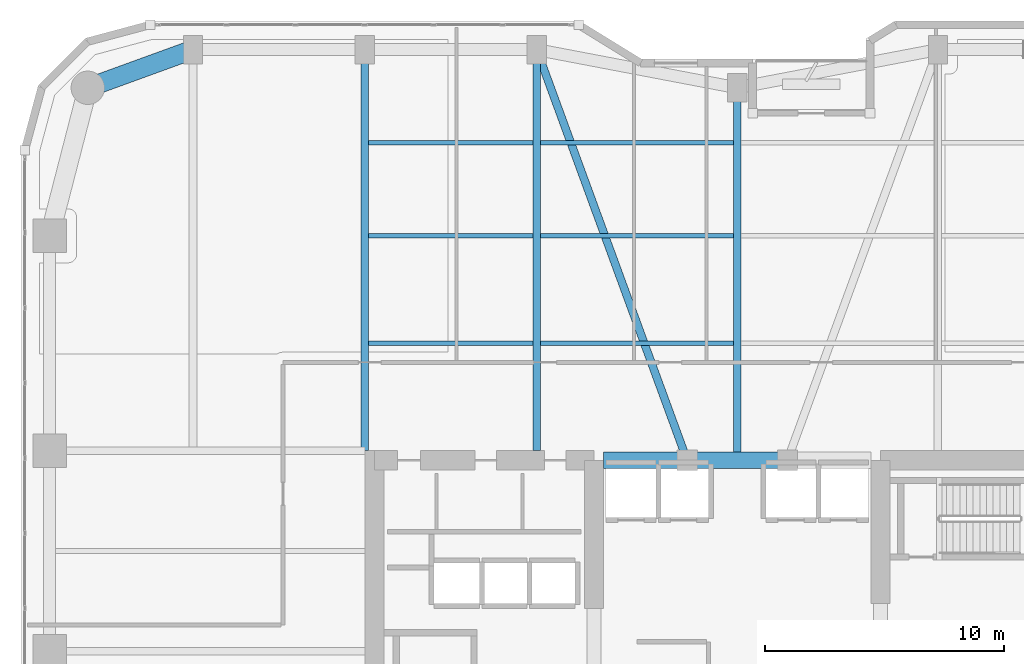
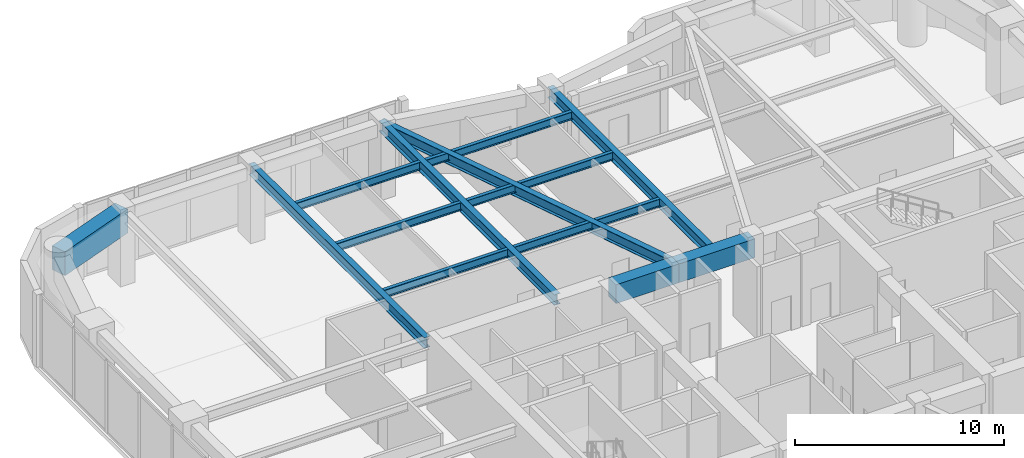
# One storey, part 9 of 20: 13 beams.
"""IFC4 building model written with IfcOpenShell, lengths in metres."""

from ifc_helpers import new_model, si_unit, direction, frame, origin, origin_2d, place, context, subcontext, project, spatial, rectangle, i_section, extrude, material, material_profile, profile_set, type_object, element, save


model = new_model("IFC4")

# Units and contexts
model_context = context("Model", 3, precision=1e-05, world=origin(), true_north=direction((0.0, 1.0)))
body_context = subcontext(model_context, "Body", "Model", "MODEL_VIEW")
ifc_project = project(units=[si_unit("LENGTHUNIT", "METRE"), si_unit("AREAUNIT", "SQUARE_METRE"), si_unit("VOLUMEUNIT", "CUBIC_METRE"), si_unit("PLANEANGLEUNIT", "RADIAN"), si_unit("MASSUNIT", "GRAM", prefix="KILO")], contexts=[model_context])

# Site, building, storey
site_placement = place(None, origin())
site = spatial("IfcSite", under=ifc_project, at=site_placement, CompositionType="ELEMENT")
building_placement = place(site_placement, origin())
building = spatial("IfcBuilding", under=site, at=building_placement, Name="Kiyonajd Concourse Tower", CompositionType="ELEMENT")
storey_placement = place(building_placement, frame((0.0, 0.0, 125.39990234375)))
storey = spatial("IfcBuildingStorey", under=building, at=storey_placement, Name="L32", CompositionType="ELEMENT", Elevation=125.39990234375)

# Beams
ifc_material_1 = material(Name="Concrete C70/85", Category="concrete")
ifc_material_profile_1 = material_profile(ifc_material_1, rectangle(XDim=0.699951171875, YDim=1.10009765625, at=origin_2d()), Name="RCBM-700x1100")
ifc_profile_set_1 = profile_set([ifc_material_profile_1], Name="Concrete C70/85")
beam_type_1 = type_object("IfcBeamType", Name="BM-COUP-1100", PredefinedType="LINTEL", material=ifc_profile_set_1)
beam_1_placement = place(storey_placement, frame((42.39990234375, 44.0, 3.690185546875), z_axis=(1.0, 0.0, 0.0), x_axis=(0.0, 1.0, 0.0)))
element("IfcBeam", 1, at=beam_1_placement, inside=storey, type_object=beam_type_1, Name="L32 Core Coupling Beam N1", PredefinedType="LINTEL", context=body_context, shape_type="SweptSolid", body=[
    extrude(rectangle(XDim=0.699951171875, YDim=1.10009765625, at=origin_2d()), origin(), (0.0, 0.0, 1.0), 3.5),
])
beam_2_placement = place(storey_placement, frame((45.89990234375, 44.0, 3.690185546875), z_axis=(1.0, 0.0, 0.0), x_axis=(0.0, 1.0, 0.0)))
element("IfcBeam", 2, at=beam_2_placement, inside=storey, type_object=beam_type_1, Name="L32 Core Coupling Beam N2", PredefinedType="LINTEL", context=body_context, shape_type="SweptSolid", body=[
    extrude(rectangle(XDim=0.699951171875, YDim=1.10009765625, at=origin_2d()), origin(), (0.0, 0.0, 1.0), 4.2001953125),
])
ifc_material_2 = material(Name="Steel ASTM A992 Grade 50", Category="steel")
ifc_material_profile_2 = material_profile(ifc_material_2, i_section(OverallWidth=0.19189453125, OverallDepth=0.462890625, WebThickness=0.010498046875, FlangeThickness=0.017578125, at=origin_2d()), Name="W460X89")
ifc_profile_set_2 = profile_set([ifc_material_profile_2], Name="Steel ASTM A992 Grade 50")
beam_type_2 = type_object("IfcBeamType", Name="BM-JST-460B", PredefinedType="JOIST", material=ifc_profile_set_2)
beam_3_placement = place(storey_placement, frame((32.5634765625, 48.89990234375, 4.008544921875), z_axis=(1.0, 0.0, 0.0), x_axis=(0.0, 1.0, 0.0)))
element("IfcBeam", 3, at=beam_3_placement, inside=storey, type_object=beam_type_2, Name="L32 Secondary Floor Joist", PredefinedType="JOIST", context=body_context, shape_type="SweptSolid", body=[
    extrude(i_section(OverallWidth=0.19189453125, OverallDepth=0.462890625, WebThickness=0.010498046875, FlangeThickness=0.017578125, at=origin_2d()), origin(), (0.0, 0.0, 1.0), 6.873046875),
])
beam_4_placement = place(storey_placement, frame((39.763427734375, 48.89990234375, 4.008544921875), z_axis=(1.0, 0.0, 0.0), x_axis=(0.0, 1.0, 0.0)))
element("IfcBeam", 4, at=beam_4_placement, inside=storey, type_object=beam_type_2, Name="L32 Secondary Floor Joist", PredefinedType="JOIST", context=body_context, shape_type="SweptSolid", body=[
    extrude(i_section(OverallWidth=0.19189453125, OverallDepth=0.462890625, WebThickness=0.010498046875, FlangeThickness=0.017578125, at=origin_2d()), origin(), (0.0, 0.0, 1.0), 8.072998046875),
])
beam_5_placement = place(storey_placement, frame((32.5634765625, 53.39990234375, 4.008544921875), z_axis=(1.0, 0.0, 0.0), x_axis=(0.0, 1.0, 0.0)))
element("IfcBeam", 5, at=beam_5_placement, inside=storey, type_object=beam_type_2, Name="L32 Secondary Floor Joist", PredefinedType="JOIST", context=body_context, shape_type="SweptSolid", body=[
    extrude(i_section(OverallWidth=0.19189453125, OverallDepth=0.462890625, WebThickness=0.010498046875, FlangeThickness=0.017578125, at=origin_2d()), origin(), (0.0, 0.0, 1.0), 6.873046875),
])
beam_6_placement = place(storey_placement, frame((39.763427734375, 53.39990234375, 4.008544921875), z_axis=(1.0, 0.0, 0.0), x_axis=(0.0, 1.0, 0.0)))
element("IfcBeam", 6, at=beam_6_placement, inside=storey, type_object=beam_type_2, Name="L32 Secondary Floor Joist", PredefinedType="JOIST", context=body_context, shape_type="SweptSolid", body=[
    extrude(i_section(OverallWidth=0.19189453125, OverallDepth=0.462890625, WebThickness=0.010498046875, FlangeThickness=0.017578125, at=origin_2d()), origin(), (0.0, 0.0, 1.0), 8.072998046875),
])
beam_7_placement = place(storey_placement, frame((32.5634765625, 57.300048828125, 4.008544921875), z_axis=(1.0, 0.0, 0.0), x_axis=(0.0, 1.0, 0.0)))
element("IfcBeam", 7, at=beam_7_placement, inside=storey, type_object=beam_type_2, Name="L32 Secondary Floor Joist", PredefinedType="JOIST", context=body_context, shape_type="SweptSolid", body=[
    extrude(i_section(OverallWidth=0.19189453125, OverallDepth=0.462890625, WebThickness=0.010498046875, FlangeThickness=0.017578125, at=origin_2d()), origin(), (0.0, 0.0, 1.0), 6.873046875),
])
beam_8_placement = place(storey_placement, frame((39.763427734375, 57.300048828125, 4.008544921875), z_axis=(1.0, 0.0, 0.0), x_axis=(0.0, 1.0, 0.0)))
element("IfcBeam", 8, at=beam_8_placement, inside=storey, type_object=beam_type_2, Name="L32 Secondary Floor Joist", PredefinedType="JOIST", context=body_context, shape_type="SweptSolid", body=[
    extrude(i_section(OverallWidth=0.19189453125, OverallDepth=0.462890625, WebThickness=0.010498046875, FlangeThickness=0.017578125, at=origin_2d()), origin(), (0.0, 0.0, 1.0), 8.072998046875),
])
ifc_material_profile_3 = material_profile(ifc_material_2, i_section(OverallWidth=0.326904296875, OverallDepth=0.6220703125, WebThickness=0.015380859375, FlangeThickness=0.0244140625, at=origin_2d()), Name="W610X195")
ifc_profile_set_3 = profile_set([ifc_material_profile_3], Name="Steel ASTM A992 Grade 50")
beam_type_3 = type_object("IfcBeamType", Name="BM-TWR-610A", PredefinedType="BEAM", material=ifc_profile_set_3)
beam_9_placement = place(storey_placement, frame((39.60009765625, 61.199951171875, 3.92919921875), z_axis=(0.343925269715, -0.938997022813, 0.0), x_axis=(0.938997022813, 0.343925269715, 0.0)))
element("IfcBeam", 9, at=beam_9_placement, inside=storey, type_object=beam_type_3, Name="L32 Core Tie Girder", PredefinedType="BEAM", context=body_context, shape_type="SweptSolid", body=[
    extrude(i_section(OverallWidth=0.326904296875, OverallDepth=0.6220703125, WebThickness=0.015380859375, FlangeThickness=0.0244140625, at=origin_2d()), origin(), (0.0, 0.0, 1.0), 18.3173828125),
])
for number, where, z_axis, x_axis, name in (
    (10, (32.39990234375, 44.39990234375, 3.92919921875), (0.0, 1.0, 0.0), (-1.0, 0.0, 0.0), "L32 North Lease Girder"),
    (11, (39.60009765625, 44.39990234375, 3.92919921875), (0.0, 1.0, 0.0), (-1.0, 0.0, 0.0), "L32 North Lease Girder"),
):
    element("IfcBeam", number, at=place(storey_placement, frame(where, z_axis=z_axis, x_axis=x_axis)), inside=storey, type_object=beam_type_3, Name=name, PredefinedType="BEAM", context=body_context, shape_type="SweptSolid", body=[
        extrude(i_section(OverallWidth=0.326904296875, OverallDepth=0.6220703125, WebThickness=0.015380859375, FlangeThickness=0.0244140625, at=origin_2d()), origin(), (0.0, 0.0, 1.0), 16.800048828125),
    ])
beam_10_placement = place(storey_placement, frame((48.0, 44.0, 3.92919921875), z_axis=(0.0, 1.0, 0.0), x_axis=(-1.0, 0.0, 0.0)))
element("IfcBeam", 12, at=beam_10_placement, inside=storey, type_object=beam_type_3, Name="L32 North Ribbon Girder", PredefinedType="BEAM", context=body_context, shape_type="SweptSolid", body=[
    extrude(i_section(OverallWidth=0.326904296875, OverallDepth=0.6220703125, WebThickness=0.015380859375, FlangeThickness=0.0244140625, at=origin_2d()), origin(), (0.0, 0.0, 1.0), 15.60009765625),
])
ifc_material_3 = material(Name="Concrete C60/75", Category="concrete")
ifc_material_profile_4 = material_profile(ifc_material_3, rectangle(XDim=0.800048828125, YDim=1.39990234375, at=origin_2d()), Name="RCBM-800x1400")
ifc_profile_set_4 = profile_set([ifc_material_profile_4], Name="Concrete C60/75")
beam_type_4 = type_object("IfcBeamType", Name="BM-XFER-RC", PredefinedType="BEAM", material=ifc_profile_set_4)
beam_11_placement = place(storey_placement, frame((25.199951171875, 61.199951171875, 3.5400390625), z_axis=(-0.939801036019, -0.341722127901, 0.0), x_axis=(0.341722127901, -0.939801036019, 0.0)))
element("IfcBeam", 13, at=beam_11_placement, inside=storey, type_object=beam_type_4, Name="L32 Perimeter Bundled Tube Spandrel", PredefinedType="BEAM", context=body_context, shape_type="SweptSolid", body=[
    extrude(rectangle(XDim=0.800048828125, YDim=1.39990234375, at=origin_2d()), origin(), (0.0, 0.0, 1.0), 4.681640625),
])

save(model, "model.ifc")
